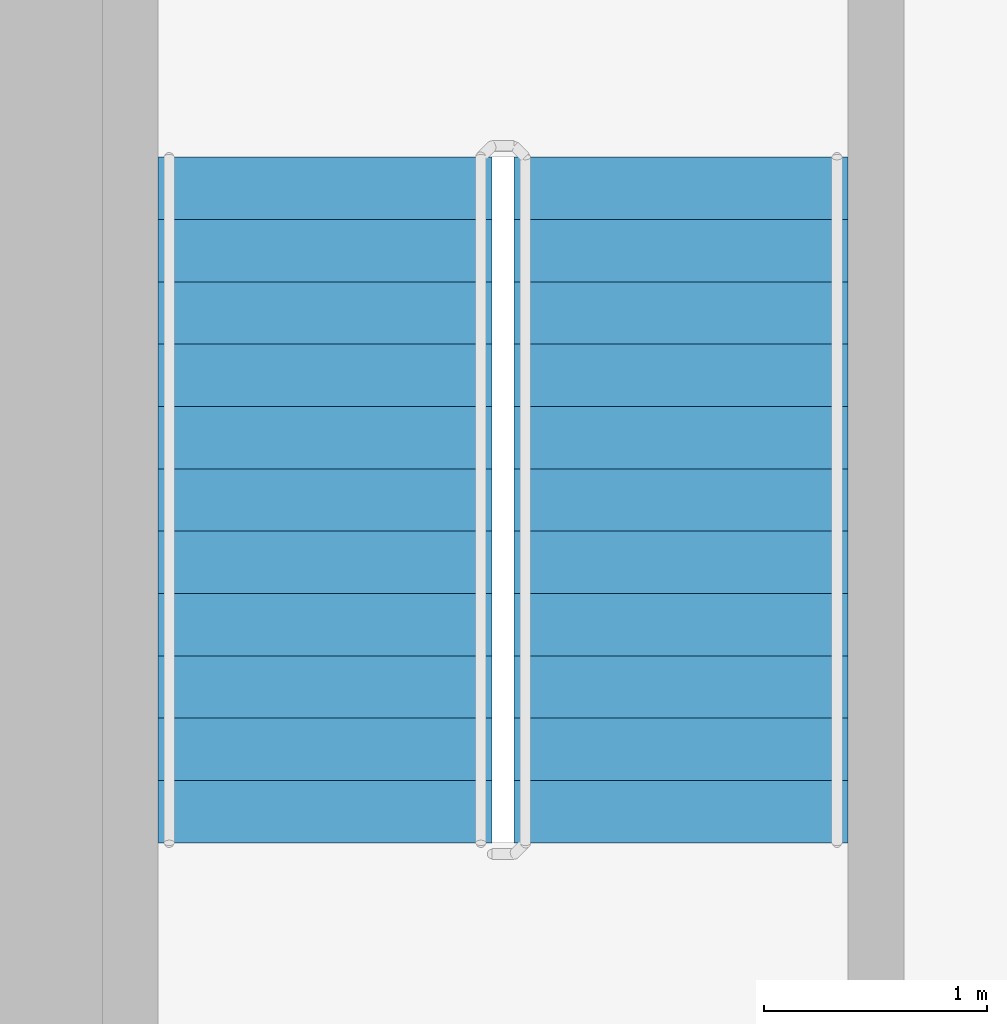
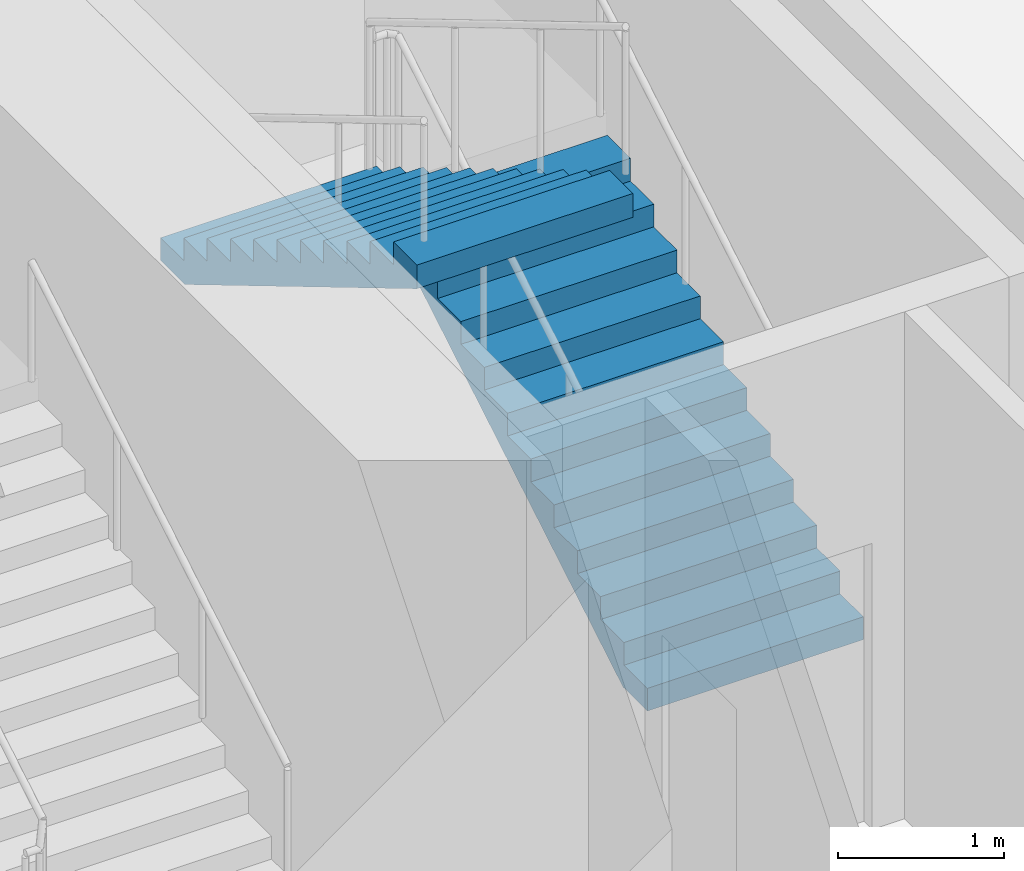
# One storey, part 19 of 28: 2 stair flights, 1 element without a shape of its own.
"""IFC4 building model written with IfcOpenShell, lengths in metres."""

from ifc_helpers import new_model, si_unit, direction, frame, origin, place, context, subcontext, project, spatial, triangles, source, transform, mapped, material, type_object, element, aggregate, save


model = new_model("IFC4")

# Units and contexts
model_context = context("Model", 3, precision=1e-05, world=origin(), true_north=direction((0.0, 1.0)))
body_context = subcontext(model_context, "Body", "Model", "MODEL_VIEW")
ifc_project = project(units=[si_unit("LENGTHUNIT", "METRE"), si_unit("AREAUNIT", "SQUARE_METRE"), si_unit("VOLUMEUNIT", "CUBIC_METRE"), si_unit("PLANEANGLEUNIT", "RADIAN"), si_unit("MASSUNIT", "GRAM", prefix="KILO")], contexts=[model_context])

# Site, building, storey
site_placement = place(None, origin())
site = spatial("IfcSite", under=ifc_project, at=site_placement, CompositionType="ELEMENT")
building_placement = place(site_placement, origin())
building = spatial("IfcBuilding", under=site, at=building_placement, Name="Kilnfold Tower and Market Hall", CompositionType="ELEMENT")
storey_placement = place(building_placement, frame((0.0, 0.0, 75.199951171875)))
storey = spatial("IfcBuildingStorey", under=building, at=storey_placement, Name="L17", CompositionType="ELEMENT", Elevation=75.199951171875)

# Stair, stair flights
ifc_material_1 = material(Name="Concrete C40/50", Category="concrete")
stair_type = type_object("IfcStairType", Name="CORE STAIR 1500", PredefinedType="HALF_TURN_STAIR", material=ifc_material_1)
stair_placement = place(storey_placement, origin())
stair = element("IfcStair", 1, at=stair_placement, inside=storey, type_object=stair_type, Name="L17 ST5", PredefinedType="HALF_TURN_STAIR")
ifc_material_2 = material(Name="Concrete C40/50", Category="concrete")
stair_flight_type = type_object("IfcStairFlightType", Name="CORE STAIR FLIGHT 1500", PredefinedType="STRAIGHT", material=ifc_material_2)
shared_shape = source(origin(), body_context, "Body", "Tessellation", [
    triangles([(0.0, 0.75, 0.0), (0.0, 0.65625, 0.0), (0.0, 0.5625, 0.0), (0.0, 0.46875, 0.0), (0.0, 0.375, 0.0), (0.0, 0.28125, 0.0), (0.0, 0.1875, 0.0), (0.0, 0.09375, 0.0), (0.0, 0.0, 0.0), (0.0, -0.09375, 0.0), (0.0, -0.1875, 0.0), (0.0, -0.28125, 0.0), (0.0, -0.375, 0.0), (0.0, -0.46875, 0.0), (0.0, -0.5625, 0.0), (0.0, -0.65625, 0.0), (0.0, -0.75, 0.0), (0.0, 0.75, 0.166748046875), (0.0, 0.65625, 0.166748046875), (0.0, 0.5625, 0.166748046875), (0.0, 0.46875, 0.166748046875), (0.0, 0.375, 0.166748046875), (0.0, 0.28125, 0.166748046875), (0.0, 0.1875, 0.166748046875), (0.0, 0.09375, 0.166748046875), (0.0, 0.0, 0.166748046875), (0.0, -0.09375, 0.166748046875), (0.0, -0.1875, 0.166748046875), (0.0, -0.28125, 0.166748046875), (0.0, -0.375, 0.166748046875), (0.0, -0.46875, 0.166748046875), (0.0, -0.5625, 0.166748046875), (0.0, -0.65625, 0.166748046875), (0.0, -0.75, 0.166748046875), (0.280029296875, 0.75, 0.166748046875), (0.280029296875, 0.65625, 0.166748046875), (0.280029296875, 0.5625, 0.166748046875), (0.280029296875, 0.46875, 0.166748046875), (0.280029296875, 0.375, 0.166748046875), (0.280029296875, 0.28125, 0.166748046875), (0.280029296875, 0.1875, 0.166748046875), (0.280029296875, 0.09375, 0.166748046875), (0.280029296875, 0.0, 0.166748046875), (0.280029296875, -0.09375, 0.166748046875), (0.280029296875, -0.1875, 0.166748046875), (0.280029296875, -0.28125, 0.166748046875), (0.280029296875, -0.375, 0.166748046875), (0.280029296875, -0.46875, 0.166748046875), (0.280029296875, -0.5625, 0.166748046875), (0.280029296875, -0.65625, 0.166748046875), (0.280029296875, -0.75, 0.166748046875), (0.280029296875, 0.75, 0.333251953125), (0.280029296875, 0.65625, 0.333251953125), (0.280029296875, 0.5625, 0.333251953125), (0.280029296875, 0.46875, 0.333251953125), (0.280029296875, 0.375, 0.333251953125), (0.280029296875, 0.28125, 0.333251953125), (0.280029296875, 0.1875, 0.333251953125), (0.280029296875, 0.09375, 0.333251953125), (0.280029296875, 0.0, 0.333251953125), (0.280029296875, -0.09375, 0.333251953125), (0.280029296875, -0.1875, 0.333251953125), (0.280029296875, -0.28125, 0.333251953125), (0.280029296875, -0.375, 0.333251953125), (0.280029296875, -0.46875, 0.333251953125), (0.280029296875, -0.5625, 0.333251953125), (0.280029296875, -0.65625, 0.333251953125), (0.280029296875, -0.75, 0.333251953125), (0.56005859375, 0.75, 0.333251953125), (0.56005859375, 0.65625, 0.333251953125), (0.56005859375, 0.5625, 0.333251953125), (0.56005859375, 0.46875, 0.333251953125), (0.56005859375, 0.375, 0.333251953125), (0.56005859375, 0.28125, 0.333251953125), (0.56005859375, 0.1875, 0.333251953125), (0.56005859375, 0.09375, 0.333251953125), (0.56005859375, 0.0, 0.333251953125), (0.56005859375, -0.09375, 0.333251953125), (0.56005859375, -0.1875, 0.333251953125), (0.56005859375, -0.28125, 0.333251953125), (0.56005859375, -0.375, 0.333251953125), (0.56005859375, -0.46875, 0.333251953125), (0.56005859375, -0.5625, 0.333251953125), (0.56005859375, -0.65625, 0.333251953125), (0.56005859375, -0.75, 0.333251953125), (0.56005859375, 0.75, 0.5), (0.56005859375, 0.65625, 0.5), (0.56005859375, 0.5625, 0.5), (0.56005859375, 0.46875, 0.5), (0.56005859375, 0.375, 0.5), (0.56005859375, 0.28125, 0.5), (0.56005859375, 0.1875, 0.5), (0.56005859375, 0.09375, 0.5), (0.56005859375, 0.0, 0.5), (0.56005859375, -0.09375, 0.5), (0.56005859375, -0.1875, 0.5), (0.56005859375, -0.28125, 0.5), (0.56005859375, -0.375, 0.5), (0.56005859375, -0.46875, 0.5), (0.56005859375, -0.5625, 0.5), (0.56005859375, -0.65625, 0.5), (0.56005859375, -0.75, 0.5), (0.840087890625, 0.75, 0.5), (0.840087890625, 0.65625, 0.5), (0.840087890625, 0.5625, 0.5), (0.840087890625, 0.46875, 0.5), (0.840087890625, 0.375, 0.5), (0.840087890625, 0.28125, 0.5), (0.840087890625, 0.1875, 0.5), (0.840087890625, 0.09375, 0.5), (0.840087890625, 0.0, 0.5), (0.840087890625, -0.09375, 0.5), (0.840087890625, -0.1875, 0.5), (0.840087890625, -0.28125, 0.5), (0.840087890625, -0.375, 0.5), (0.840087890625, -0.46875, 0.5), (0.840087890625, -0.5625, 0.5), (0.840087890625, -0.65625, 0.5), (0.840087890625, -0.75, 0.5), (0.840087890625, 0.75, 0.666748046875), (0.840087890625, 0.65625, 0.666748046875), (0.840087890625, 0.5625, 0.666748046875), (0.840087890625, 0.46875, 0.666748046875), (0.840087890625, 0.375, 0.666748046875), (0.840087890625, 0.28125, 0.666748046875), (0.840087890625, 0.1875, 0.666748046875), (0.840087890625, 0.09375, 0.666748046875), (0.840087890625, 0.0, 0.666748046875), (0.840087890625, -0.09375, 0.666748046875), (0.840087890625, -0.1875, 0.666748046875), (0.840087890625, -0.28125, 0.666748046875), (0.840087890625, -0.375, 0.666748046875), (0.840087890625, -0.46875, 0.666748046875), (0.840087890625, -0.5625, 0.666748046875), (0.840087890625, -0.65625, 0.666748046875), (0.840087890625, -0.75, 0.666748046875), (1.1201171875, 0.75, 0.666748046875), (1.1201171875, 0.65625, 0.666748046875), (1.1201171875, 0.5625, 0.666748046875), (1.1201171875, 0.46875, 0.666748046875), (1.1201171875, 0.375, 0.666748046875), (1.1201171875, 0.28125, 0.666748046875), (1.1201171875, 0.1875, 0.666748046875), (1.1201171875, 0.09375, 0.666748046875), (1.1201171875, 0.0, 0.666748046875), (1.1201171875, -0.09375, 0.666748046875), (1.1201171875, -0.1875, 0.666748046875), (1.1201171875, -0.28125, 0.666748046875), (1.1201171875, -0.375, 0.666748046875), (1.1201171875, -0.46875, 0.666748046875), (1.1201171875, -0.5625, 0.666748046875), (1.1201171875, -0.65625, 0.666748046875), (1.1201171875, -0.75, 0.666748046875), (1.1201171875, 0.75, 0.833251953125), (1.1201171875, 0.65625, 0.833251953125), (1.1201171875, 0.5625, 0.833251953125), (1.1201171875, 0.46875, 0.833251953125), (1.1201171875, 0.375, 0.833251953125), (1.1201171875, 0.28125, 0.833251953125), (1.1201171875, 0.1875, 0.833251953125), (1.1201171875, 0.09375, 0.833251953125), (1.1201171875, 0.0, 0.833251953125), (1.1201171875, -0.09375, 0.833251953125), (1.1201171875, -0.1875, 0.833251953125), (1.1201171875, -0.28125, 0.833251953125), (1.1201171875, -0.375, 0.833251953125), (1.1201171875, -0.46875, 0.833251953125), (1.1201171875, -0.5625, 0.833251953125), (1.1201171875, -0.65625, 0.833251953125), (1.1201171875, -0.75, 0.833251953125), (1.39990234375, 0.75, 0.833251953125), (1.39990234375, 0.65625, 0.833251953125), (1.39990234375, 0.5625, 0.833251953125), (1.39990234375, 0.46875, 0.833251953125), (1.39990234375, 0.375, 0.833251953125), (1.39990234375, 0.28125, 0.833251953125), (1.39990234375, 0.1875, 0.833251953125), (1.39990234375, 0.09375, 0.833251953125), (1.39990234375, 0.0, 0.833251953125), (1.39990234375, -0.09375, 0.833251953125), (1.39990234375, -0.1875, 0.833251953125), (1.39990234375, -0.28125, 0.833251953125), (1.39990234375, -0.375, 0.833251953125), (1.39990234375, -0.46875, 0.833251953125), (1.39990234375, -0.5625, 0.833251953125), (1.39990234375, -0.65625, 0.833251953125), (1.39990234375, -0.75, 0.833251953125), (1.39990234375, 0.75, 1.0), (1.39990234375, 0.65625, 1.0), (1.39990234375, 0.5625, 1.0), (1.39990234375, 0.46875, 1.0), (1.39990234375, 0.375, 1.0), (1.39990234375, 0.28125, 1.0), (1.39990234375, 0.1875, 1.0), (1.39990234375, 0.09375, 1.0), (1.39990234375, 0.0, 1.0), (1.39990234375, -0.09375, 1.0), (1.39990234375, -0.1875, 1.0), (1.39990234375, -0.28125, 1.0), (1.39990234375, -0.375, 1.0), (1.39990234375, -0.46875, 1.0), (1.39990234375, -0.5625, 1.0), (1.39990234375, -0.65625, 1.0), (1.39990234375, -0.75, 1.0), (1.679931640625, 0.75, 1.0), (1.679931640625, 0.65625, 1.0), (1.679931640625, 0.5625, 1.0), (1.679931640625, 0.46875, 1.0), (1.679931640625, 0.375, 1.0), (1.679931640625, 0.28125, 1.0), (1.679931640625, 0.1875, 1.0), (1.679931640625, 0.09375, 1.0), (1.679931640625, 0.0, 1.0), (1.679931640625, -0.09375, 1.0), (1.679931640625, -0.1875, 1.0), (1.679931640625, -0.28125, 1.0), (1.679931640625, -0.375, 1.0), (1.679931640625, -0.46875, 1.0), (1.679931640625, -0.5625, 1.0), (1.679931640625, -0.65625, 1.0), (1.679931640625, -0.75, 1.0), (1.679931640625, 0.75, 1.166748046875), (1.679931640625, 0.65625, 1.166748046875), (1.679931640625, 0.5625, 1.166748046875), (1.679931640625, 0.46875, 1.166748046875), (1.679931640625, 0.375, 1.166748046875), (1.679931640625, 0.28125, 1.166748046875), (1.679931640625, 0.1875, 1.166748046875), (1.679931640625, 0.09375, 1.166748046875), (1.679931640625, 0.0, 1.166748046875), (1.679931640625, -0.09375, 1.166748046875), (1.679931640625, -0.1875, 1.166748046875), (1.679931640625, -0.28125, 1.166748046875), (1.679931640625, -0.375, 1.166748046875), (1.679931640625, -0.46875, 1.166748046875), (1.679931640625, -0.5625, 1.166748046875), (1.679931640625, -0.65625, 1.166748046875), (1.679931640625, -0.75, 1.166748046875), (1.9599609375, 0.75, 1.166748046875), (1.9599609375, 0.65625, 1.166748046875), (1.9599609375, 0.5625, 1.166748046875), (1.9599609375, 0.46875, 1.166748046875), (1.9599609375, 0.375, 1.166748046875), (1.9599609375, 0.28125, 1.166748046875), (1.9599609375, 0.1875, 1.166748046875), (1.9599609375, 0.09375, 1.166748046875), (1.9599609375, 0.0, 1.166748046875), (1.9599609375, -0.09375, 1.166748046875), (1.9599609375, -0.1875, 1.166748046875), (1.9599609375, -0.28125, 1.166748046875), (1.9599609375, -0.375, 1.166748046875), (1.9599609375, -0.46875, 1.166748046875), (1.9599609375, -0.5625, 1.166748046875), (1.9599609375, -0.65625, 1.166748046875), (1.9599609375, -0.75, 1.166748046875), (1.9599609375, 0.75, 1.333251953125), (1.9599609375, 0.65625, 1.333251953125), (1.9599609375, 0.5625, 1.333251953125), (1.9599609375, 0.46875, 1.333251953125), (1.9599609375, 0.375, 1.333251953125), (1.9599609375, 0.28125, 1.333251953125), (1.9599609375, 0.1875, 1.333251953125), (1.9599609375, 0.09375, 1.333251953125), (1.9599609375, 0.0, 1.333251953125), (1.9599609375, -0.09375, 1.333251953125), (1.9599609375, -0.1875, 1.333251953125), (1.9599609375, -0.28125, 1.333251953125), (1.9599609375, -0.375, 1.333251953125), (1.9599609375, -0.46875, 1.333251953125), (1.9599609375, -0.5625, 1.333251953125), (1.9599609375, -0.65625, 1.333251953125), (1.9599609375, -0.75, 1.333251953125), (2.239990234375, 0.75, 1.333251953125), (2.239990234375, 0.65625, 1.333251953125), (2.239990234375, 0.5625, 1.333251953125), (2.239990234375, 0.46875, 1.333251953125), (2.239990234375, 0.375, 1.333251953125), (2.239990234375, 0.28125, 1.333251953125), (2.239990234375, 0.1875, 1.333251953125), (2.239990234375, 0.09375, 1.333251953125), (2.239990234375, 0.0, 1.333251953125), (2.239990234375, -0.09375, 1.333251953125), (2.239990234375, -0.1875, 1.333251953125), (2.239990234375, -0.28125, 1.333251953125), (2.239990234375, -0.375, 1.333251953125), (2.239990234375, -0.46875, 1.333251953125), (2.239990234375, -0.5625, 1.333251953125), (2.239990234375, -0.65625, 1.333251953125), (2.239990234375, -0.75, 1.333251953125), (2.239990234375, 0.75, 1.5), (2.239990234375, 0.65625, 1.5), (2.239990234375, 0.5625, 1.5), (2.239990234375, 0.46875, 1.5), (2.239990234375, 0.375, 1.5), (2.239990234375, 0.28125, 1.5), (2.239990234375, 0.1875, 1.5), (2.239990234375, 0.09375, 1.5), (2.239990234375, 0.0, 1.5), (2.239990234375, -0.09375, 1.5), (2.239990234375, -0.1875, 1.5), (2.239990234375, -0.28125, 1.5), (2.239990234375, -0.375, 1.5), (2.239990234375, -0.46875, 1.5), (2.239990234375, -0.5625, 1.5), (2.239990234375, -0.65625, 1.5), (2.239990234375, -0.75, 1.5), (2.52001953125, 0.75, 1.5), (2.52001953125, 0.65625, 1.5), (2.52001953125, 0.5625, 1.5), (2.52001953125, 0.46875, 1.5), (2.52001953125, 0.375, 1.5), (2.52001953125, 0.28125, 1.5), (2.52001953125, 0.1875, 1.5), (2.52001953125, 0.09375, 1.5), (2.52001953125, 0.0, 1.5), (2.52001953125, -0.09375, 1.5), (2.52001953125, -0.1875, 1.5), (2.52001953125, -0.28125, 1.5), (2.52001953125, -0.375, 1.5), (2.52001953125, -0.46875, 1.5), (2.52001953125, -0.5625, 1.5), (2.52001953125, -0.65625, 1.5), (2.52001953125, -0.75, 1.5), (2.52001953125, 0.75, 1.666748046875), (2.52001953125, 0.65625, 1.666748046875), (2.52001953125, 0.5625, 1.666748046875), (2.52001953125, 0.46875, 1.666748046875), (2.52001953125, 0.375, 1.666748046875), (2.52001953125, 0.28125, 1.666748046875), (2.52001953125, 0.1875, 1.666748046875), (2.52001953125, 0.09375, 1.666748046875), (2.52001953125, 0.0, 1.666748046875), (2.52001953125, -0.09375, 1.666748046875), (2.52001953125, -0.1875, 1.666748046875), (2.52001953125, -0.28125, 1.666748046875), (2.52001953125, -0.375, 1.666748046875), (2.52001953125, -0.46875, 1.666748046875), (2.52001953125, -0.5625, 1.666748046875), (2.52001953125, -0.65625, 1.666748046875), (2.52001953125, -0.75, 1.666748046875), (2.800048828125, 0.75, 1.666748046875), (2.800048828125, 0.65625, 1.666748046875), (2.800048828125, 0.5625, 1.666748046875), (2.800048828125, 0.46875, 1.666748046875), (2.800048828125, 0.375, 1.666748046875), (2.800048828125, 0.28125, 1.666748046875), (2.800048828125, 0.1875, 1.666748046875), (2.800048828125, 0.09375, 1.666748046875), (2.800048828125, 0.0, 1.666748046875), (2.800048828125, -0.09375, 1.666748046875), (2.800048828125, -0.1875, 1.666748046875), (2.800048828125, -0.28125, 1.666748046875), (2.800048828125, -0.375, 1.666748046875), (2.800048828125, -0.46875, 1.666748046875), (2.800048828125, -0.5625, 1.666748046875), (2.800048828125, -0.65625, 1.666748046875), (2.800048828125, -0.75, 1.666748046875), (2.800048828125, 0.75, 1.833251953125), (2.800048828125, 0.65625, 1.833251953125), (2.800048828125, 0.5625, 1.833251953125), (2.800048828125, 0.46875, 1.833251953125), (2.800048828125, 0.375, 1.833251953125), (2.800048828125, 0.28125, 1.833251953125), (2.800048828125, 0.1875, 1.833251953125), (2.800048828125, 0.09375, 1.833251953125), (2.800048828125, 0.0, 1.833251953125), (2.800048828125, -0.09375, 1.833251953125), (2.800048828125, -0.1875, 1.833251953125), (2.800048828125, -0.28125, 1.833251953125), (2.800048828125, -0.375, 1.833251953125), (2.800048828125, -0.46875, 1.833251953125), (2.800048828125, -0.5625, 1.833251953125), (2.800048828125, -0.65625, 1.833251953125), (2.800048828125, -0.75, 1.833251953125), (3.080078125, 0.75, 1.833251953125), (3.080078125, 0.65625, 1.833251953125), (3.080078125, 0.5625, 1.833251953125), (3.080078125, 0.46875, 1.833251953125), (3.080078125, 0.375, 1.833251953125), (3.080078125, 0.28125, 1.833251953125), (3.080078125, 0.1875, 1.833251953125), (3.080078125, 0.09375, 1.833251953125), (3.080078125, 0.0, 1.833251953125), (3.080078125, -0.09375, 1.833251953125), (3.080078125, -0.1875, 1.833251953125), (3.080078125, -0.28125, 1.833251953125), (3.080078125, -0.375, 1.833251953125), (3.080078125, -0.46875, 1.833251953125), (3.080078125, -0.5625, 1.833251953125), (3.080078125, -0.65625, 1.833251953125), (3.080078125, -0.75, 1.833251953125), (3.080078125, 0.75, 1.658935546875), (3.080078125, 0.65625, 1.658935546875), (3.080078125, 0.5625, 1.658935546875), (3.080078125, 0.46875, 1.658935546875), (3.080078125, 0.375, 1.658935546875), (3.080078125, 0.28125, 1.658935546875), (3.080078125, 0.1875, 1.658935546875), (3.080078125, 0.09375, 1.658935546875), (3.080078125, 0.0, 1.658935546875), (3.080078125, -0.09375, 1.658935546875), (3.080078125, -0.1875, 1.658935546875), (3.080078125, -0.28125, 1.658935546875), (3.080078125, -0.375, 1.658935546875), (3.080078125, -0.46875, 1.658935546875), (3.080078125, -0.5625, 1.658935546875), (3.080078125, -0.65625, 1.658935546875), (3.080078125, -0.75, 1.658935546875), (0.29296875, 0.75, 0.0), (0.29296875, 0.65625, 0.0), (0.29296875, 0.5625, 0.0), (0.29296875, 0.46875, 0.0), (0.29296875, 0.375, 0.0), (0.29296875, 0.28125, 0.0), (0.29296875, 0.1875, 0.0), (0.29296875, 0.09375, 0.0), (0.29296875, 0.0, 0.0), (0.29296875, -0.09375, 0.0), (0.29296875, -0.1875, 0.0), (0.29296875, -0.28125, 0.0), (0.29296875, -0.375, 0.0), (0.29296875, -0.46875, 0.0), (0.29296875, -0.5625, 0.0), (0.29296875, -0.65625, 0.0), (0.29296875, -0.75, 0.0)], [[1, 392, 409], [17, 425, 408], [392, 358, 375], [408, 391, 374], [392, 341, 358], [408, 374, 357], [392, 324, 341], [408, 357, 340], [392, 307, 324], [408, 340, 323], [307, 273, 290], [323, 306, 289], [392, 273, 307], [408, 323, 289], [273, 239, 256], [289, 272, 255], [392, 239, 273], [408, 289, 255], [239, 205, 222], [255, 238, 221], [392, 205, 239], [408, 255, 221], [205, 171, 188], [221, 204, 187], [392, 171, 205], [408, 221, 187], [171, 137, 154], [187, 170, 153], [392, 137, 171], [408, 187, 153], [137, 103, 120], [153, 136, 119], [392, 103, 137], [408, 153, 119], [103, 69, 86], [119, 102, 85], [392, 69, 103], [408, 119, 85], [1, 69, 392], [17, 408, 85], [69, 35, 52], [85, 68, 51], [1, 35, 69], [17, 85, 51], [35, 1, 18], [51, 34, 17], [1, 19, 18], [1, 2, 19], [2, 20, 19], [2, 3, 20], [3, 21, 20], [3, 4, 21], [4, 22, 21], [4, 5, 22], [5, 23, 22], [5, 6, 23], [6, 24, 23], [6, 7, 24], [7, 25, 24], [7, 8, 25], [8, 26, 25], [8, 9, 26], [9, 27, 26], [9, 10, 27], [10, 28, 27], [10, 11, 28], [11, 29, 28], [11, 12, 29], [12, 30, 29], [12, 13, 30], [13, 31, 30], [13, 14, 31], [14, 32, 31], [14, 15, 32], [15, 33, 32], [15, 16, 33], [16, 34, 33], [16, 17, 34], [18, 36, 35], [18, 19, 36], [19, 37, 36], [19, 20, 37], [20, 38, 37], [20, 21, 38], [21, 39, 38], [21, 22, 39], [22, 40, 39], [22, 23, 40], [23, 41, 40], [23, 24, 41], [24, 42, 41], [24, 25, 42], [25, 43, 42], [25, 26, 43], [26, 44, 43], [26, 27, 44], [27, 45, 44], [27, 28, 45], [28, 46, 45], [28, 29, 46], [29, 47, 46], [29, 30, 47], [30, 48, 47], [30, 31, 48], [31, 49, 48], [31, 32, 49], [32, 50, 49], [32, 33, 50], [33, 51, 50], [33, 34, 51], [35, 53, 52], [35, 36, 53], [36, 54, 53], [36, 37, 54], [37, 55, 54], [37, 38, 55], [38, 56, 55], [38, 39, 56], [39, 57, 56], [39, 40, 57], [40, 58, 57], [40, 41, 58], [41, 59, 58], [41, 42, 59], [42, 60, 59], [42, 43, 60], [43, 61, 60], [43, 44, 61], [44, 62, 61], [44, 45, 62], [45, 63, 62], [45, 46, 63], [46, 64, 63], [46, 47, 64], [47, 65, 64], [47, 48, 65], [48, 66, 65], [48, 49, 66], [49, 67, 66], [49, 50, 67], [50, 68, 67], [50, 51, 68], [52, 70, 69], [52, 53, 70], [53, 71, 70], [53, 54, 71], [54, 72, 71], [54, 55, 72], [55, 73, 72], [55, 56, 73], [56, 74, 73], [56, 57, 74], [57, 75, 74], [57, 58, 75], [58, 76, 75], [58, 59, 76], [59, 77, 76], [59, 60, 77], [60, 78, 77], [60, 61, 78], [61, 79, 78], [61, 62, 79], [62, 80, 79], [62, 63, 80], [63, 81, 80], [63, 64, 81], [64, 82, 81], [64, 65, 82], [65, 83, 82], [65, 66, 83], [66, 84, 83], [66, 67, 84], [67, 85, 84], [67, 68, 85], [69, 87, 86], [69, 70, 87], [70, 88, 87], [70, 71, 88], [71, 89, 88], [71, 72, 89], [72, 90, 89], [72, 73, 90], [73, 91, 90], [73, 74, 91], [74, 92, 91], [74, 75, 92], [75, 93, 92], [75, 76, 93], [76, 94, 93], [76, 77, 94], [77, 95, 94], [77, 78, 95], [78, 96, 95], [78, 79, 96], [79, 97, 96], [79, 80, 97], [80, 98, 97], [80, 81, 98], [81, 99, 98], [81, 82, 99], [82, 100, 99], [82, 83, 100], [83, 101, 100], [83, 84, 101], [84, 102, 101], [84, 85, 102], [86, 104, 103], [86, 87, 104], [87, 105, 104], [87, 88, 105], [88, 106, 105], [88, 89, 106], [89, 107, 106], [89, 90, 107], [90, 108, 107], [90, 91, 108], [91, 109, 108], [91, 92, 109], [92, 110, 109], [92, 93, 110], [93, 111, 110], [93, 94, 111], [94, 112, 111], [94, 95, 112], [95, 113, 112], [95, 96, 113], [96, 114, 113], [96, 97, 114], [97, 115, 114], [97, 98, 115], [98, 116, 115], [98, 99, 116], [99, 117, 116], [99, 100, 117], [100, 118, 117], [100, 101, 118], [101, 119, 118], [101, 102, 119], [103, 121, 120], [103, 104, 121], [104, 122, 121], [104, 105, 122], [105, 123, 122], [105, 106, 123], [106, 124, 123], [106, 107, 124], [107, 125, 124], [107, 108, 125], [108, 126, 125], [108, 109, 126], [109, 127, 126], [109, 110, 127], [110, 128, 127], [110, 111, 128], [111, 129, 128], [111, 112, 129], [112, 130, 129], [112, 113, 130], [113, 131, 130], [113, 114, 131], [114, 132, 131], [114, 115, 132], [115, 133, 132], [115, 116, 133], [116, 134, 133], [116, 117, 134], [117, 135, 134], [117, 118, 135], [118, 136, 135], [118, 119, 136], [120, 138, 137], [120, 121, 138], [121, 139, 138], [121, 122, 139], [122, 140, 139], [122, 123, 140], [123, 141, 140], [123, 124, 141], [124, 142, 141], [124, 125, 142], [125, 143, 142], [125, 126, 143], [126, 144, 143], [126, 127, 144], [127, 145, 144], [127, 128, 145], [128, 146, 145], [128, 129, 146], [129, 147, 146], [129, 130, 147], [130, 148, 147], [130, 131, 148], [131, 149, 148], [131, 132, 149], [132, 150, 149], [132, 133, 150], [133, 151, 150], [133, 134, 151], [134, 152, 151], [134, 135, 152], [135, 153, 152], [135, 136, 153], [137, 155, 154], [137, 138, 155], [138, 156, 155], [138, 139, 156], [139, 157, 156], [139, 140, 157], [140, 158, 157], [140, 141, 158], [141, 159, 158], [141, 142, 159], [142, 160, 159], [142, 143, 160], [143, 161, 160], [143, 144, 161], [144, 162, 161], [144, 145, 162], [145, 163, 162], [145, 146, 163], [146, 164, 163], [146, 147, 164], [147, 165, 164], [147, 148, 165], [148, 166, 165], [148, 149, 166], [149, 167, 166], [149, 150, 167], [150, 168, 167], [150, 151, 168], [151, 169, 168], [151, 152, 169], [152, 170, 169], [152, 153, 170], [154, 172, 171], [154, 155, 172], [155, 173, 172], [155, 156, 173], [156, 174, 173], [156, 157, 174], [157, 175, 174], [157, 158, 175], [158, 176, 175], [158, 159, 176], [159, 177, 176], [159, 160, 177], [160, 178, 177], [160, 161, 178], [161, 179, 178], [161, 162, 179], [162, 180, 179], [162, 163, 180], [163, 181, 180], [163, 164, 181], [164, 182, 181], [164, 165, 182], [165, 183, 182], [165, 166, 183], [166, 184, 183], [166, 167, 184], [167, 185, 184], [167, 168, 185], [168, 186, 185], [168, 169, 186], [169, 187, 186], [169, 170, 187], [171, 189, 188], [171, 172, 189], [172, 190, 189], [172, 173, 190], [173, 191, 190], [173, 174, 191], [174, 192, 191], [174, 175, 192], [175, 193, 192], [175, 176, 193], [176, 194, 193], [176, 177, 194], [177, 195, 194], [177, 178, 195], [178, 196, 195], [178, 179, 196], [179, 197, 196], [179, 180, 197], [180, 198, 197], [180, 181, 198], [181, 199, 198], [181, 182, 199], [182, 200, 199], [182, 183, 200], [183, 201, 200], [183, 184, 201], [184, 202, 201], [184, 185, 202], [185, 203, 202], [185, 186, 203], [186, 204, 203], [186, 187, 204], [188, 206, 205], [188, 189, 206], [189, 207, 206], [189, 190, 207], [190, 208, 207], [190, 191, 208], [191, 209, 208], [191, 192, 209], [192, 210, 209], [192, 193, 210], [193, 211, 210], [193, 194, 211], [194, 212, 211], [194, 195, 212], [195, 213, 212], [195, 196, 213], [196, 214, 213], [196, 197, 214], [197, 215, 214], [197, 198, 215], [198, 216, 215], [198, 199, 216], [199, 217, 216], [199, 200, 217], [200, 218, 217], [200, 201, 218], [201, 219, 218], [201, 202, 219], [202, 220, 219], [202, 203, 220], [203, 221, 220], [203, 204, 221], [205, 223, 222], [205, 206, 223], [206, 224, 223], [206, 207, 224], [207, 225, 224], [207, 208, 225], [208, 226, 225], [208, 209, 226], [209, 227, 226], [209, 210, 227], [210, 228, 227], [210, 211, 228], [211, 229, 228], [211, 212, 229], [212, 230, 229], [212, 213, 230], [213, 231, 230], [213, 214, 231], [214, 232, 231], [214, 215, 232], [215, 233, 232], [215, 216, 233], [216, 234, 233], [216, 217, 234], [217, 235, 234], [217, 218, 235], [218, 236, 235], [218, 219, 236], [219, 237, 236], [219, 220, 237], [220, 238, 237], [220, 221, 238], [222, 240, 239], [222, 223, 240], [223, 241, 240], [223, 224, 241], [224, 242, 241], [224, 225, 242], [225, 243, 242], [225, 226, 243], [226, 244, 243], [226, 227, 244], [227, 245, 244], [227, 228, 245], [228, 246, 245], [228, 229, 246], [229, 247, 246], [229, 230, 247], [230, 248, 247], [230, 231, 248], [231, 249, 248], [231, 232, 249], [232, 250, 249], [232, 233, 250], [233, 251, 250], [233, 234, 251], [234, 252, 251], [234, 235, 252], [235, 253, 252], [235, 236, 253], [236, 254, 253], [236, 237, 254], [237, 255, 254], [237, 238, 255], [239, 257, 256], [239, 240, 257], [240, 258, 257], [240, 241, 258], [241, 259, 258], [241, 242, 259], [242, 260, 259], [242, 243, 260], [243, 261, 260], [243, 244, 261], [244, 262, 261], [244, 245, 262], [245, 263, 262], [245, 246, 263], [246, 264, 263], [246, 247, 264], [247, 265, 264], [247, 248, 265], [248, 266, 265], [248, 249, 266], [249, 267, 266], [249, 250, 267], [250, 268, 267], [250, 251, 268], [251, 269, 268], [251, 252, 269], [252, 270, 269], [252, 253, 270], [253, 271, 270], [253, 254, 271], [254, 272, 271], [254, 255, 272], [256, 274, 273], [256, 257, 274], [257, 275, 274], [257, 258, 275], [258, 276, 275], [258, 259, 276], [259, 277, 276], [259, 260, 277], [260, 278, 277], [260, 261, 278], [261, 279, 278], [261, 262, 279], [262, 280, 279], [262, 263, 280], [263, 281, 280], [263, 264, 281], [264, 282, 281], [264, 265, 282], [265, 283, 282], [265, 266, 283], [266, 284, 283], [266, 267, 284], [267, 285, 284], [267, 268, 285], [268, 286, 285], [268, 269, 286], [269, 287, 286], [269, 270, 287], [270, 288, 287], [270, 271, 288], [271, 289, 288], [271, 272, 289], [273, 291, 290], [273, 274, 291], [274, 292, 291], [274, 275, 292], [275, 293, 292], [275, 276, 293], [276, 294, 293], [276, 277, 294], [277, 295, 294], [277, 278, 295], [278, 296, 295], [278, 279, 296], [279, 297, 296], [279, 280, 297], [280, 298, 297], [280, 281, 298], [281, 299, 298], [281, 282, 299], [282, 300, 299], [282, 283, 300], [283, 301, 300], [283, 284, 301], [284, 302, 301], [284, 285, 302], [285, 303, 302], [285, 286, 303], [286, 304, 303], [286, 287, 304], [287, 305, 304], [287, 288, 305], [288, 306, 305], [288, 289, 306], [290, 308, 307], [290, 291, 308], [291, 309, 308], [291, 292, 309], [292, 310, 309], [292, 293, 310], [293, 311, 310], [293, 294, 311], [294, 312, 311], [294, 295, 312], [295, 313, 312], [295, 296, 313], [296, 314, 313], [296, 297, 314], [297, 315, 314], [297, 298, 315], [298, 316, 315], [298, 299, 316], [299, 317, 316], [299, 300, 317], [300, 318, 317], [300, 301, 318], [301, 319, 318], [301, 302, 319], [302, 320, 319], [302, 303, 320], [303, 321, 320], [303, 304, 321], [304, 322, 321], [304, 305, 322], [305, 323, 322], [305, 306, 323], [307, 325, 324], [307, 308, 325], [308, 326, 325], [308, 309, 326], [309, 327, 326], [309, 310, 327], [310, 328, 327], [310, 311, 328], [311, 329, 328], [311, 312, 329], [312, 330, 329], [312, 313, 330], [313, 331, 330], [313, 314, 331], [314, 332, 331], [314, 315, 332], [315, 333, 332], [315, 316, 333], [316, 334, 333], [316, 317, 334], [317, 335, 334], [317, 318, 335], [318, 336, 335], [318, 319, 336], [319, 337, 336], [319, 320, 337], [320, 338, 337], [320, 321, 338], [321, 339, 338], [321, 322, 339], [322, 340, 339], [322, 323, 340], [324, 342, 341], [324, 325, 342], [325, 343, 342], [325, 326, 343], [326, 344, 343], [326, 327, 344], [327, 345, 344], [327, 328, 345], [328, 346, 345], [328, 329, 346], [329, 347, 346], [329, 330, 347], [330, 348, 347], [330, 331, 348], [331, 349, 348], [331, 332, 349], [332, 350, 349], [332, 333, 350], [333, 351, 350], [333, 334, 351], [334, 352, 351], [334, 335, 352], [335, 353, 352], [335, 336, 353], [336, 354, 353], [336, 337, 354], [337, 355, 354], [337, 338, 355], [338, 356, 355], [338, 339, 356], [339, 357, 356], [339, 340, 357], [341, 359, 358], [341, 342, 359], [342, 360, 359], [342, 343, 360], [343, 361, 360], [343, 344, 361], [344, 362, 361], [344, 345, 362], [345, 363, 362], [345, 346, 363], [346, 364, 363], [346, 347, 364], [347, 365, 364], [347, 348, 365], [348, 366, 365], [348, 349, 366], [349, 367, 366], [349, 350, 367], [350, 368, 367], [350, 351, 368], [351, 369, 368], [351, 352, 369], [352, 370, 369], [352, 353, 370], [353, 371, 370], [353, 354, 371], [354, 372, 371], [354, 355, 372], [355, 373, 372], [355, 356, 373], [356, 374, 373], [356, 357, 374], [358, 376, 375], [358, 359, 376], [359, 377, 376], [359, 360, 377], [360, 378, 377], [360, 361, 378], [361, 379, 378], [361, 362, 379], [362, 380, 379], [362, 363, 380], [363, 381, 380], [363, 364, 381], [364, 382, 381], [364, 365, 382], [365, 383, 382], [365, 366, 383], [366, 384, 383], [366, 367, 384], [367, 385, 384], [367, 368, 385], [368, 386, 385], [368, 369, 386], [369, 387, 386], [369, 370, 387], [370, 388, 387], [370, 371, 388], [371, 389, 388], [371, 372, 389], [372, 390, 389], [372, 373, 390], [373, 391, 390], [373, 374, 391], [375, 393, 392], [375, 376, 393], [376, 394, 393], [376, 377, 394], [377, 395, 394], [377, 378, 395], [378, 396, 395], [378, 379, 396], [379, 397, 396], [379, 380, 397], [380, 398, 397], [380, 381, 398], [381, 399, 398], [381, 382, 399], [382, 400, 399], [382, 383, 400], [383, 401, 400], [383, 384, 401], [384, 402, 401], [384, 385, 402], [385, 403, 402], [385, 386, 403], [386, 404, 403], [386, 387, 404], [387, 405, 404], [387, 388, 405], [388, 406, 405], [388, 389, 406], [389, 407, 406], [389, 390, 407], [390, 408, 407], [390, 391, 408], [392, 410, 409], [392, 393, 410], [393, 411, 410], [393, 394, 411], [394, 412, 411], [394, 395, 412], [395, 413, 412], [395, 396, 413], [396, 414, 413], [396, 397, 414], [397, 415, 414], [397, 398, 415], [398, 416, 415], [398, 399, 416], [399, 417, 416], [399, 400, 417], [400, 418, 417], [400, 401, 418], [401, 419, 418], [401, 402, 419], [402, 420, 419], [402, 403, 420], [403, 421, 420], [403, 404, 421], [404, 422, 421], [404, 405, 422], [405, 423, 422], [405, 406, 423], [406, 424, 423], [406, 407, 424], [407, 425, 424], [407, 408, 425], [409, 2, 1], [409, 410, 2], [410, 3, 2], [410, 411, 3], [411, 4, 3], [411, 412, 4], [412, 5, 4], [412, 413, 5], [413, 6, 5], [413, 414, 6], [414, 7, 6], [414, 415, 7], [415, 8, 7], [415, 416, 8], [416, 9, 8], [416, 417, 9], [417, 10, 9], [417, 418, 10], [418, 11, 10], [418, 419, 11], [419, 12, 11], [419, 420, 12], [420, 13, 12], [420, 421, 13], [421, 14, 13], [421, 422, 14], [422, 15, 14], [422, 423, 15], [423, 16, 15], [423, 424, 16], [424, 17, 16], [424, 425, 17]], closed=True),
])
stair_flight_1_placement = place(storey_placement, frame((20.699951171875, 11.5, 0.0), z_axis=(0.0, 0.0, 1.0), x_axis=(0.0, 1.0, 0.0)))
stair_flight_1 = element("IfcStairFlight", 2, at=stair_flight_1_placement, type_object=stair_flight_type, Name="ST5 flight 1", NumberOfRisers=12, NumberOfTreads=11, PredefinedType="STRAIGHT", RiserHeight=0.166666667, TreadLength=0.28, context=body_context, shape_type="MappedRepresentation", body=[
    mapped(shared_shape, transform((0.0, 0.0, 0.0))),
])
stair_flight_2_placement = place(storey_placement, frame((19.10009765625, 14.580078125, 2.0), z_axis=(0.0, 0.0, 1.0), x_axis=(0.0, -1.0, 0.0)))
stair_flight_2 = element("IfcStairFlight", 3, at=stair_flight_2_placement, type_object=stair_flight_type, Name="ST5 flight 2", NumberOfRisers=12, NumberOfTreads=11, PredefinedType="STRAIGHT", RiserHeight=0.166666667, TreadLength=0.28, context=body_context, shape_type="MappedRepresentation", body=[
    mapped(shared_shape, transform((0.0, 0.0, 0.0))),
])
aggregate(stair, [stair_flight_1, stair_flight_2])

save(model, "model.ifc")
